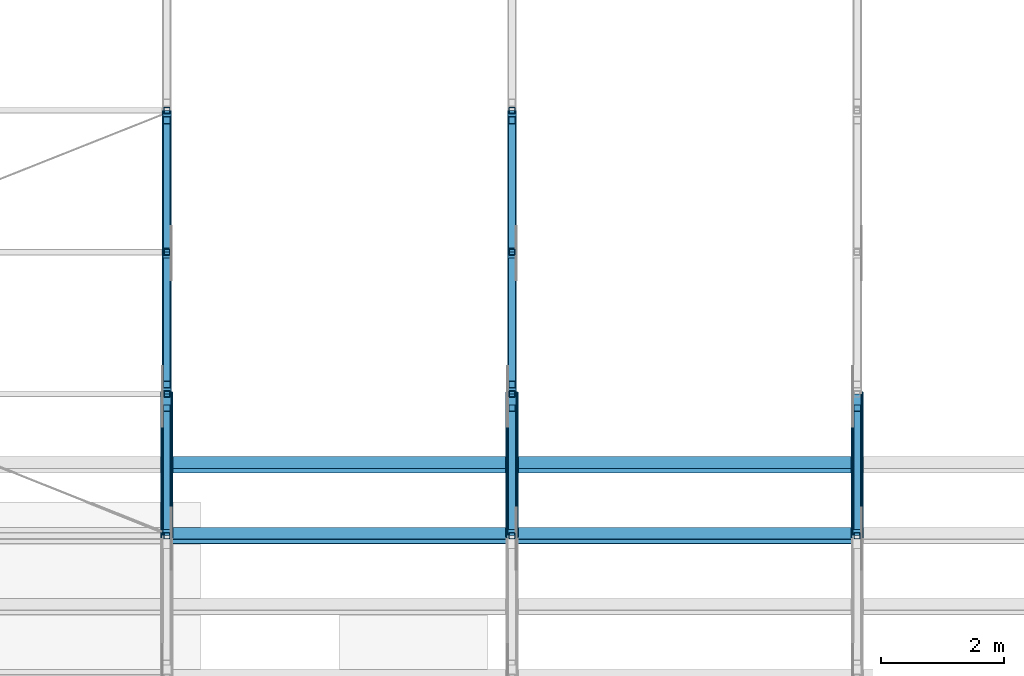
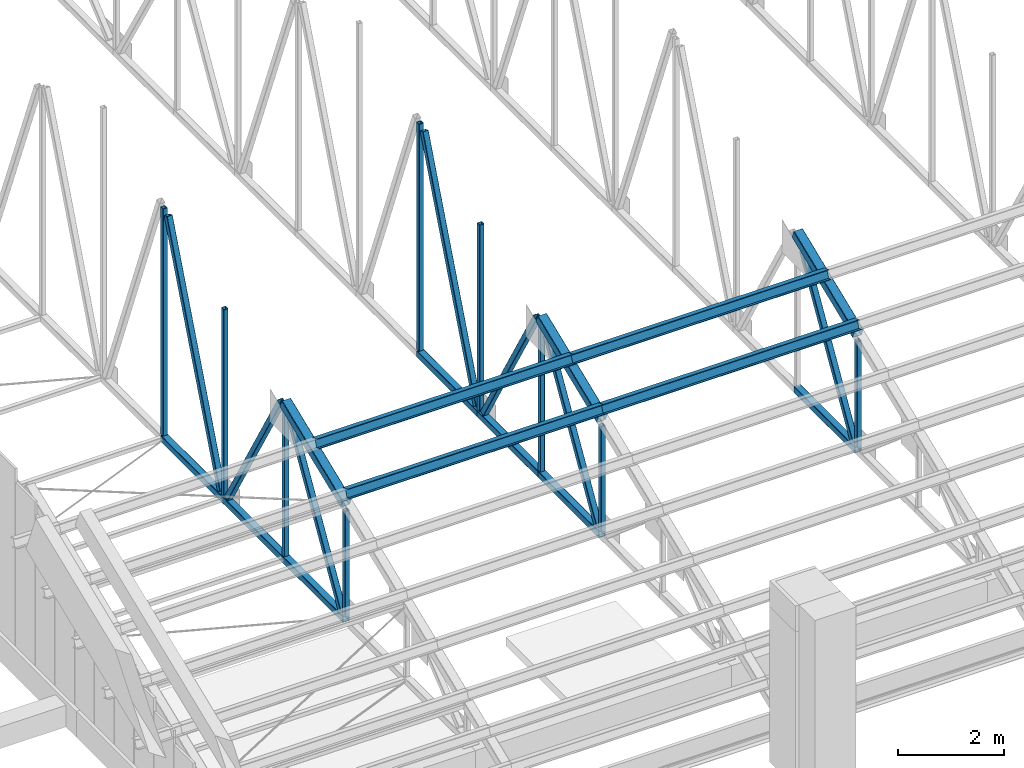
# One storey, part 8 of 71: 30 members.
"""IFC4 building model written with IfcOpenShell, lengths in metres."""

from ifc_helpers import new_model, si_unit, direction, frame, origin, origin_2d, place, context, subcontext, project, spatial, hollow_rectangle, i_section, extrude, material, material_profile, profile_set, type_object, element, save


model = new_model("IFC4")

# Units and contexts
model_context = context("Model", 3, precision=1e-05, world=origin(), true_north=direction((0.0, 1.0)))
body_context = subcontext(model_context, "Body", "Model", "MODEL_VIEW")
ifc_project = project(units=[si_unit("LENGTHUNIT", "METRE"), si_unit("AREAUNIT", "SQUARE_METRE"), si_unit("VOLUMEUNIT", "CUBIC_METRE"), si_unit("PLANEANGLEUNIT", "RADIAN"), si_unit("MASSUNIT", "GRAM", prefix="KILO")], contexts=[model_context])

# Site, building, storey
site_placement = place(None, origin())
site = spatial("IfcSite", under=ifc_project, at=site_placement, CompositionType="ELEMENT")
building_placement = place(site_placement, origin())
building = spatial("IfcBuilding", under=site, at=building_placement, Name="Wasatch Bagh Community Centre", CompositionType="ELEMENT")
storey_placement = place(building_placement, frame((0.0, 0.0, 12.60009765625)))
storey = spatial("IfcBuildingStorey", under=building, at=storey_placement, Name="L03", CompositionType="ELEMENT", Elevation=12.60009765625)

# Members
ifc_material_1 = material(Name="ASTM A500 Grade C steel", Category="steel")
ifc_material_profile_1 = material_profile(ifc_material_1, hollow_rectangle(XDim=0.1015625, YDim=0.1015625, WallThickness=0.005859375, InnerFilletRadius=0.005859375, OuterFilletRadius=0.01171875, at=origin_2d()), Name="HSS4x4x1/4")
ifc_profile_set_1 = profile_set([ifc_material_profile_1], Name="ASTM A500 Grade C steel")
member_type_1 = type_object("IfcMemberType", Name="SH HSS4x4x1/4 post", PredefinedType="POST", material=ifc_profile_set_1)
member_1_placement = place(storey_placement, frame((117.800048828125, 42.800048828125, 0.76220703125), z_axis=(0.0, 0.0, 1.0), x_axis=(1.0, 0.0, 0.0)))
element("IfcMember", 1, at=member_1_placement, inside=storey, type_object=member_type_1, Name="SH.SA2.PS03", PredefinedType="POST", context=body_context, shape_type="SweptSolid", body=[
    extrude(hollow_rectangle(XDim=0.1015625, YDim=0.1015625, WallThickness=0.005859375, InnerFilletRadius=0.005859375, OuterFilletRadius=0.01171875, at=origin_2d()), origin(), (0.0, 0.0, 1.0), 2.44189453125),
])
member_2_placement = place(storey_placement, frame((117.800048828125, 45.10009765625, 0.76220703125), z_axis=(0.0, 0.0, 1.0), x_axis=(1.0, 0.0, 0.0)))
element("IfcMember", 2, at=member_2_placement, inside=storey, type_object=member_type_1, Name="SH.SA2.PS04", PredefinedType="POST", context=body_context, shape_type="SweptSolid", body=[
    extrude(hollow_rectangle(XDim=0.1015625, YDim=0.1015625, WallThickness=0.005859375, InnerFilletRadius=0.005859375, OuterFilletRadius=0.01171875, at=origin_2d()), origin(), (0.0, 0.0, 1.0), 3.37890625),
])
member_3_placement = place(storey_placement, frame((117.800048828125, 47.39990234375, 0.76220703125), z_axis=(0.0, 0.0, 1.0), x_axis=(1.0, 0.0, 0.0)))
element("IfcMember", 3, at=member_3_placement, inside=storey, type_object=member_type_1, Name="SH.SA2.PS05", PredefinedType="POST", context=body_context, shape_type="SweptSolid", body=[
    extrude(hollow_rectangle(XDim=0.1015625, YDim=0.1015625, WallThickness=0.005859375, InnerFilletRadius=0.005859375, OuterFilletRadius=0.01171875, at=origin_2d()), origin(), (0.0, 0.0, 1.0), 4.316162109375),
])
member_4_placement = place(storey_placement, frame((117.800048828125, 49.699951171875, 0.76220703125), z_axis=(0.0, 0.0, 1.0), x_axis=(1.0, 0.0, 0.0)))
element("IfcMember", 4, at=member_4_placement, inside=storey, type_object=member_type_1, Name="SH.SA2.PS06", PredefinedType="POST", context=body_context, shape_type="SweptSolid", body=[
    extrude(hollow_rectangle(XDim=0.1015625, YDim=0.1015625, WallThickness=0.005859375, InnerFilletRadius=0.005859375, OuterFilletRadius=0.01171875, at=origin_2d()), origin(), (0.0, 0.0, 1.0), 5.25341796875),
])
member_5_placement = place(storey_placement, frame((123.39990234375, 42.800048828125, 0.76220703125), z_axis=(0.0, 0.0, 1.0), x_axis=(1.0, 0.0, 0.0)))
element("IfcMember", 5, at=member_5_placement, inside=storey, type_object=member_type_1, Name="SH.SA3.PS03", PredefinedType="POST", context=body_context, shape_type="SweptSolid", body=[
    extrude(hollow_rectangle(XDim=0.1015625, YDim=0.1015625, WallThickness=0.005859375, InnerFilletRadius=0.005859375, OuterFilletRadius=0.01171875, at=origin_2d()), origin(), (0.0, 0.0, 1.0), 2.44189453125),
])
member_6_placement = place(storey_placement, frame((123.39990234375, 45.10009765625, 0.76220703125), z_axis=(0.0, 0.0, 1.0), x_axis=(1.0, 0.0, 0.0)))
element("IfcMember", 6, at=member_6_placement, inside=storey, type_object=member_type_1, Name="SH.SA3.PS04", PredefinedType="POST", context=body_context, shape_type="SweptSolid", body=[
    extrude(hollow_rectangle(XDim=0.1015625, YDim=0.1015625, WallThickness=0.005859375, InnerFilletRadius=0.005859375, OuterFilletRadius=0.01171875, at=origin_2d()), origin(), (0.0, 0.0, 1.0), 3.37890625),
])
member_7_placement = place(storey_placement, frame((123.39990234375, 47.39990234375, 0.76220703125), z_axis=(0.0, 0.0, 1.0), x_axis=(1.0, 0.0, 0.0)))
element("IfcMember", 7, at=member_7_placement, inside=storey, type_object=member_type_1, Name="SH.SA3.PS05", PredefinedType="POST", context=body_context, shape_type="SweptSolid", body=[
    extrude(hollow_rectangle(XDim=0.1015625, YDim=0.1015625, WallThickness=0.005859375, InnerFilletRadius=0.005859375, OuterFilletRadius=0.01171875, at=origin_2d()), origin(), (0.0, 0.0, 1.0), 4.316162109375),
])
member_8_placement = place(storey_placement, frame((123.39990234375, 49.699951171875, 0.76220703125), z_axis=(0.0, 0.0, 1.0), x_axis=(1.0, 0.0, 0.0)))
element("IfcMember", 8, at=member_8_placement, inside=storey, type_object=member_type_1, Name="SH.SA3.PS06", PredefinedType="POST", context=body_context, shape_type="SweptSolid", body=[
    extrude(hollow_rectangle(XDim=0.1015625, YDim=0.1015625, WallThickness=0.005859375, InnerFilletRadius=0.005859375, OuterFilletRadius=0.01171875, at=origin_2d()), origin(), (0.0, 0.0, 1.0), 5.25341796875),
])
member_9_placement = place(storey_placement, frame((129.0, 42.800048828125, 0.76220703125), z_axis=(0.0, 0.0, 1.0), x_axis=(1.0, 0.0, 0.0)))
element("IfcMember", 9, at=member_9_placement, inside=storey, type_object=member_type_1, Name="SH.SA4.PS03", PredefinedType="POST", context=body_context, shape_type="SweptSolid", body=[
    extrude(hollow_rectangle(XDim=0.1015625, YDim=0.1015625, WallThickness=0.005859375, InnerFilletRadius=0.005859375, OuterFilletRadius=0.01171875, at=origin_2d()), origin(), (0.0, 0.0, 1.0), 2.44189453125),
])
ifc_material_profile_2 = material_profile(ifc_material_1, hollow_rectangle(XDim=0.126953125, YDim=0.126953125, WallThickness=0.00732421875, InnerFilletRadius=0.00732421875, OuterFilletRadius=0.0146484375, at=origin_2d()), Name="HSS5x5x5/16")
ifc_profile_set_2 = profile_set([ifc_material_profile_2], Name="ASTM A500 Grade C steel")
member_type_2 = type_object("IfcMemberType", Name="SH HSS5x5x5/16 brace", PredefinedType="BRACE", material=ifc_profile_set_2)
member_10_placement = place(storey_placement, frame((117.800048828125, 42.953857421875, 0.795166015625), z_axis=(0.0, 0.5113669513, 0.859362462014), x_axis=(-1.0, 0.0, 0.0)))
element("IfcMember", 10, at=member_10_placement, inside=storey, type_object=member_type_2, Name="SH.SA2.WB03", PredefinedType="BRACE", context=body_context, shape_type="SweptSolid", body=[
    extrude(hollow_rectangle(XDim=0.126953125, YDim=0.126953125, WallThickness=0.00732421875, InnerFilletRadius=0.00732421875, OuterFilletRadius=0.0146484375, at=origin_2d()), origin(), (0.0, 0.0, 1.0), 3.744873046875),
])
member_11_placement = place(storey_placement, frame((117.800048828125, 47.24755859375, 0.794677734375), z_axis=(0.0, -0.50383651599, 0.863799030536), x_axis=(1.0, 0.0, 0.0)))
element("IfcMember", 11, at=member_11_placement, inside=storey, type_object=member_type_2, Name="SH.SA2.WB04", PredefinedType="BRACE", context=body_context, shape_type="SweptSolid", body=[
    extrude(hollow_rectangle(XDim=0.126953125, YDim=0.126953125, WallThickness=0.00732421875, InnerFilletRadius=0.00732421875, OuterFilletRadius=0.0146484375, at=origin_2d()), origin(), (0.0, 0.0, 1.0), 3.958984375),
])
member_12_placement = place(storey_placement, frame((117.800048828125, 47.52490234375, 0.785888671875), z_axis=(0.0, 0.365198017435, 0.930929862053), x_axis=(-1.0, 0.0, 0.0)))
element("IfcMember", 12, at=member_12_placement, inside=storey, type_object=member_type_2, Name="SH.SA2.WB05", PredefinedType="BRACE", context=body_context, shape_type="SweptSolid", body=[
    extrude(hollow_rectangle(XDim=0.126953125, YDim=0.126953125, WallThickness=0.00732421875, InnerFilletRadius=0.00732421875, OuterFilletRadius=0.0146484375, at=origin_2d()), origin(), (0.0, 0.0, 1.0), 5.52001953125),
])
member_13_placement = place(storey_placement, frame((123.39990234375, 42.953857421875, 0.795166015625), z_axis=(0.0, 0.5113669513, 0.859362462014), x_axis=(-1.0, 0.0, 0.0)))
element("IfcMember", 13, at=member_13_placement, inside=storey, type_object=member_type_2, Name="SH.SA3.WB03", PredefinedType="BRACE", context=body_context, shape_type="SweptSolid", body=[
    extrude(hollow_rectangle(XDim=0.126953125, YDim=0.126953125, WallThickness=0.00732421875, InnerFilletRadius=0.00732421875, OuterFilletRadius=0.0146484375, at=origin_2d()), origin(), (0.0, 0.0, 1.0), 3.744873046875),
])
member_14_placement = place(storey_placement, frame((123.39990234375, 47.24755859375, 0.794677734375), z_axis=(0.0, -0.50383651599, 0.863799030536), x_axis=(1.0, 0.0, 0.0)))
element("IfcMember", 14, at=member_14_placement, inside=storey, type_object=member_type_2, Name="SH.SA3.WB04", PredefinedType="BRACE", context=body_context, shape_type="SweptSolid", body=[
    extrude(hollow_rectangle(XDim=0.126953125, YDim=0.126953125, WallThickness=0.00732421875, InnerFilletRadius=0.00732421875, OuterFilletRadius=0.0146484375, at=origin_2d()), origin(), (0.0, 0.0, 1.0), 3.958984375),
])
member_15_placement = place(storey_placement, frame((123.39990234375, 47.52490234375, 0.785888671875), z_axis=(0.0, 0.365198017435, 0.930929862053), x_axis=(-1.0, 0.0, 0.0)))
element("IfcMember", 15, at=member_15_placement, inside=storey, type_object=member_type_2, Name="SH.SA3.WB05", PredefinedType="BRACE", context=body_context, shape_type="SweptSolid", body=[
    extrude(hollow_rectangle(XDim=0.126953125, YDim=0.126953125, WallThickness=0.00732421875, InnerFilletRadius=0.00732421875, OuterFilletRadius=0.0146484375, at=origin_2d()), origin(), (0.0, 0.0, 1.0), 5.52001953125),
])
member_16_placement = place(storey_placement, frame((129.0, 42.953857421875, 0.795166015625), z_axis=(0.0, 0.5113669513, 0.859362462014), x_axis=(-1.0, 0.0, 0.0)))
element("IfcMember", 16, at=member_16_placement, inside=storey, type_object=member_type_2, Name="SH.SA4.WB03", PredefinedType="BRACE", context=body_context, shape_type="SweptSolid", body=[
    extrude(hollow_rectangle(XDim=0.126953125, YDim=0.126953125, WallThickness=0.00732421875, InnerFilletRadius=0.00732421875, OuterFilletRadius=0.0146484375, at=origin_2d()), origin(), (0.0, 0.0, 1.0), 3.744873046875),
])
ifc_material_profile_3 = material_profile(ifc_material_1, hollow_rectangle(XDim=0.15234375, YDim=0.15234375, WallThickness=0.0087890625, InnerFilletRadius=0.0087890625, OuterFilletRadius=0.017822265625, at=origin_2d()), Name="HSS6x6x3/8")
ifc_profile_set_3 = profile_set([ifc_material_profile_3], Name="ASTM A500 Grade C steel")
member_type_3 = type_object("IfcMemberType", Name="SH HSS6x6x3/8 chord", PredefinedType="CHORD", material=ifc_profile_set_3)
member_17_placement = place(storey_placement, frame((117.800048828125, 42.800048828125, 0.68603515625), z_axis=(0.0, 1.0, 0.0), x_axis=(-1.0, 0.0, 0.0)))
element("IfcMember", 17, at=member_17_placement, inside=storey, type_object=member_type_3, Name="SH.SA2.BC03", PredefinedType="CHORD", context=body_context, shape_type="SweptSolid", body=[
    extrude(hollow_rectangle(XDim=0.15234375, YDim=0.15234375, WallThickness=0.0087890625, InnerFilletRadius=0.0087890625, OuterFilletRadius=0.017822265625, at=origin_2d()), origin(), (0.0, 0.0, 1.0), 2.300048828125),
])
member_18_placement = place(storey_placement, frame((117.800048828125, 45.10009765625, 0.68603515625), z_axis=(0.0, 1.0, 0.0), x_axis=(-1.0, 0.0, 0.0)))
element("IfcMember", 18, at=member_18_placement, inside=storey, type_object=member_type_3, Name="SH.SA2.BC04", PredefinedType="CHORD", context=body_context, shape_type="SweptSolid", body=[
    extrude(hollow_rectangle(XDim=0.15234375, YDim=0.15234375, WallThickness=0.0087890625, InnerFilletRadius=0.0087890625, OuterFilletRadius=0.017822265625, at=origin_2d()), origin(), (0.0, 0.0, 1.0), 2.2998046875),
])
for number, where, z_axis, x_axis, name in (
    (19, (117.800048828125, 47.39990234375, 0.68603515625), (0.0, 1.0, 0.0), (-1.0, 0.0, 0.0), "SH.SA2.BC05"),
    (20, (123.39990234375, 42.800048828125, 0.68603515625), (0.0, 1.0, 0.0), (-1.0, 0.0, 0.0), "SH.SA3.BC03"),
):
    element("IfcMember", number, at=place(storey_placement, frame(where, z_axis=z_axis, x_axis=x_axis)), inside=storey, type_object=member_type_3, Name=name, PredefinedType="CHORD", context=body_context, shape_type="SweptSolid", body=[
        extrude(hollow_rectangle(XDim=0.15234375, YDim=0.15234375, WallThickness=0.0087890625, InnerFilletRadius=0.0087890625, OuterFilletRadius=0.017822265625, at=origin_2d()), origin(), (0.0, 0.0, 1.0), 2.300048828125),
    ])
member_19_placement = place(storey_placement, frame((123.39990234375, 45.10009765625, 0.68603515625), z_axis=(0.0, 1.0, 0.0), x_axis=(-1.0, 0.0, 0.0)))
element("IfcMember", 21, at=member_19_placement, inside=storey, type_object=member_type_3, Name="SH.SA3.BC04", PredefinedType="CHORD", context=body_context, shape_type="SweptSolid", body=[
    extrude(hollow_rectangle(XDim=0.15234375, YDim=0.15234375, WallThickness=0.0087890625, InnerFilletRadius=0.0087890625, OuterFilletRadius=0.017822265625, at=origin_2d()), origin(), (0.0, 0.0, 1.0), 2.2998046875),
])
for number, where, z_axis, x_axis, name in (
    (22, (123.39990234375, 47.39990234375, 0.68603515625), (0.0, 1.0, 0.0), (-1.0, 0.0, 0.0), "SH.SA3.BC05"),
    (23, (129.0, 42.800048828125, 0.68603515625), (0.0, 1.0, 0.0), (-1.0, 0.0, 0.0), "SH.SA4.BC03"),
):
    element("IfcMember", number, at=place(storey_placement, frame(where, z_axis=z_axis, x_axis=x_axis)), inside=storey, type_object=member_type_3, Name=name, PredefinedType="CHORD", context=body_context, shape_type="SweptSolid", body=[
        extrude(hollow_rectangle(XDim=0.15234375, YDim=0.15234375, WallThickness=0.0087890625, InnerFilletRadius=0.0087890625, OuterFilletRadius=0.017822265625, at=origin_2d()), origin(), (0.0, 0.0, 1.0), 2.300048828125),
    ])
ifc_material_profile_4 = material_profile(ifc_material_1, hollow_rectangle(XDim=0.203125, YDim=0.203125, WallThickness=0.01171875, InnerFilletRadius=0.01171875, OuterFilletRadius=0.023681640625, at=origin_2d()), Name="HSS8x8x1/2")
ifc_profile_set_4 = profile_set([ifc_material_profile_4], Name="ASTM A500 Grade C steel")
member_type_4 = type_object("IfcMemberType", Name="SH HSS8x8x1/2 chord", PredefinedType="CHORD", material=ifc_profile_set_4)
for number, where, z_axis, x_axis, name in (
    (24, (117.800048828125, 42.800537109375, 3.359130859375), (0.0, 0.92720830339, 0.374546074769), (-1.0, 0.0, 0.0), "SH.SA2.TC04"),
    (25, (123.39990234375, 42.800537109375, 3.359130859375), (0.0, 0.92720830339, 0.374546074769), (-1.0, 0.0, 0.0), "SH.SA3.TC04"),
    (26, (129.0, 42.800537109375, 3.359130859375), (0.0, 0.92720830339, 0.374546074769), (-1.0, 0.0, 0.0), "SH.SA4.TC04"),
):
    element("IfcMember", number, at=place(storey_placement, frame(where, z_axis=z_axis, x_axis=x_axis)), inside=storey, type_object=member_type_4, Name=name, PredefinedType="CHORD", context=body_context, shape_type="SweptSolid", body=[
        extrude(hollow_rectangle(XDim=0.203125, YDim=0.203125, WallThickness=0.01171875, InnerFilletRadius=0.01171875, OuterFilletRadius=0.023681640625, at=origin_2d()), origin(), (0.0, 0.0, 1.0), 2.4794921875),
    ])
ifc_material_2 = material(Name="ASTM A992 Grade 50 steel", Category="steel")
ifc_material_profile_5 = material_profile(ifc_material_2, i_section(OverallWidth=0.203125, OverallDepth=0.203125, WebThickness=0.00732421875, FlangeThickness=0.010986328125, at=origin_2d()), Name="W8x31")
ifc_profile_set_5 = profile_set([ifc_material_profile_5], Name="ASTM A992 Grade 50 steel")
member_type_5 = type_object("IfcMemberType", Name="SH W8x31 purlin", PredefinedType="PURLIN", material=ifc_profile_set_5)
for number, where, z_axis, x_axis, name in (
    (27, (117.800048828125, 42.800048828125, 3.577880859375), (1.0, 0.0, 0.0), (0.0, 0.927183854567, -0.374606593416), "SH.PUR.b2.PU08"),
    (28, (117.800048828125, 43.949951171875, 4.042724609375), (1.0, 0.0, 0.0), (0.0, 0.927183854567, -0.374606593416), "SH.PUR.b2.PU09"),
):
    element("IfcMember", number, at=place(storey_placement, frame(where, z_axis=z_axis, x_axis=x_axis)), inside=storey, type_object=member_type_5, Name=name, PredefinedType="PURLIN", context=body_context, shape_type="SweptSolid", body=[
        extrude(i_section(OverallWidth=0.203125, OverallDepth=0.203125, WebThickness=0.00732421875, FlangeThickness=0.010986328125, at=origin_2d()), origin(), (0.0, 0.0, 1.0), 5.599853515625),
    ])
for number, where, z_axis, x_axis, name in (
    (29, (123.39990234375, 42.800048828125, 3.577880859375), (1.0, 0.0, 0.0), (0.0, 0.927183854567, -0.374606593416), "SH.PUR.b3.PU08"),
    (30, (123.39990234375, 43.949951171875, 4.042724609375), (1.0, 0.0, 0.0), (0.0, 0.927183854567, -0.374606593416), "SH.PUR.b3.PU09"),
):
    element("IfcMember", number, at=place(storey_placement, frame(where, z_axis=z_axis, x_axis=x_axis)), inside=storey, type_object=member_type_5, Name=name, PredefinedType="PURLIN", context=body_context, shape_type="SweptSolid", body=[
        extrude(i_section(OverallWidth=0.203125, OverallDepth=0.203125, WebThickness=0.00732421875, FlangeThickness=0.010986328125, at=origin_2d()), origin(), (0.0, 0.0, 1.0), 5.60009765625),
    ])

save(model, "model.ifc")
